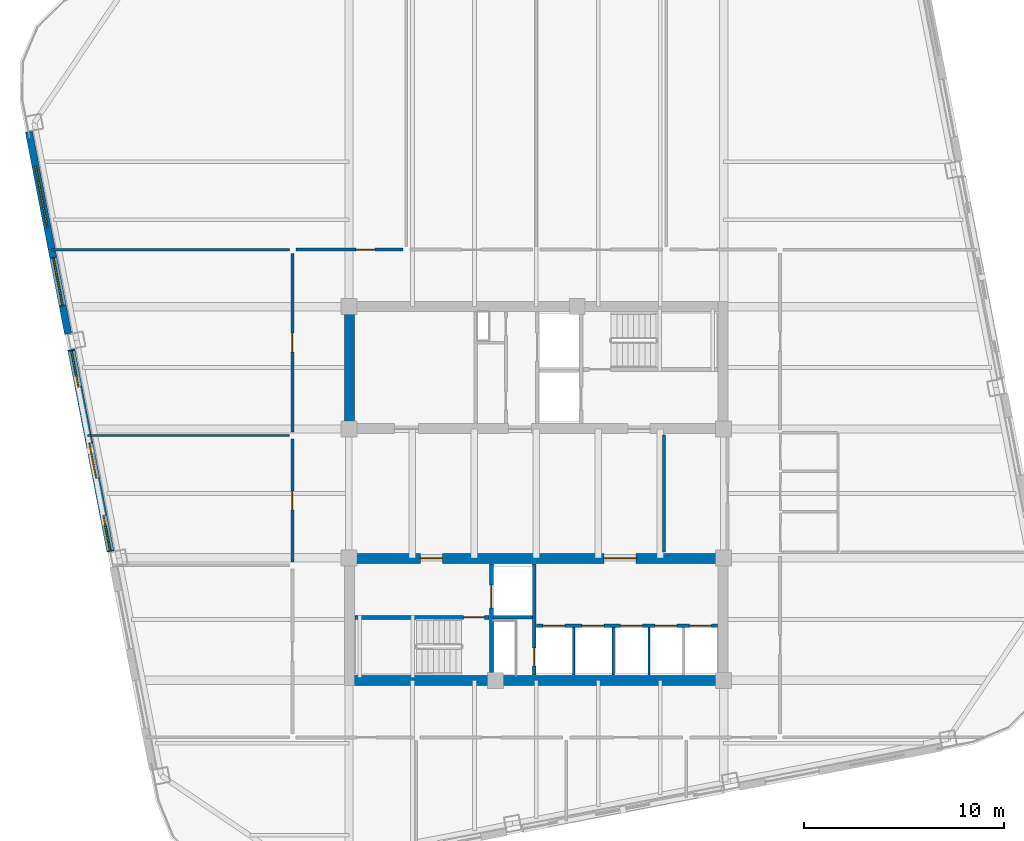
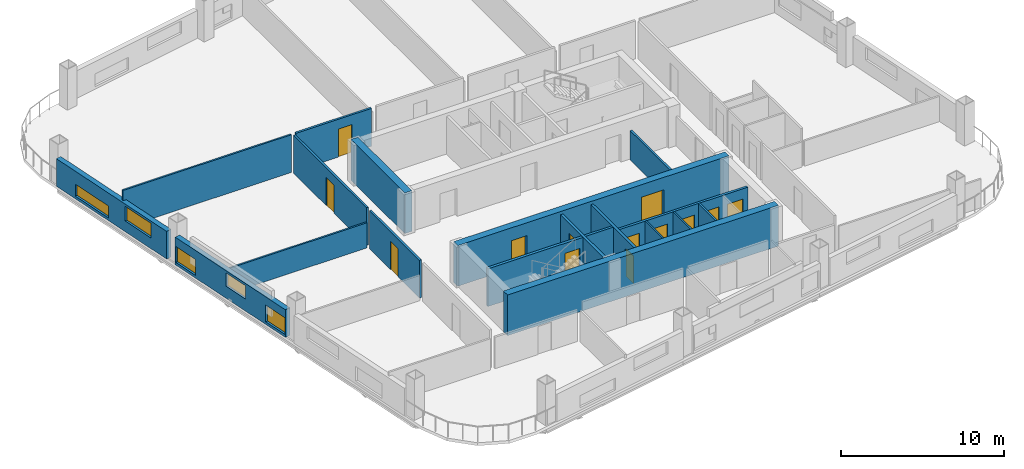
# One storey, part 3 of 9: 19 walls, 13 doors, 5 windows, 18 openings.
"""IFC4 building model written with IfcOpenShell, lengths in metres."""

from ifc_helpers import new_model, si_unit, direction, frame, frame_2d, origin, place, context, subcontext, project, spatial, rectangle, extrude, material, layer, layer_set, type_object, element, fill, save


model = new_model("IFC4")

# Units and contexts
model_context = context("Model", 3, precision=1e-05, world=origin(), true_north=direction((0.0, 1.0)))
body_context = subcontext(model_context, "Body", "Model", "MODEL_VIEW")
ifc_project = project(units=[si_unit("LENGTHUNIT", "METRE"), si_unit("AREAUNIT", "SQUARE_METRE"), si_unit("VOLUMEUNIT", "CUBIC_METRE"), si_unit("PLANEANGLEUNIT", "RADIAN"), si_unit("MASSUNIT", "GRAM", prefix="KILO")], contexts=[model_context])

# Site, building, storey
site_placement = place(None, origin())
site = spatial("IfcSite", under=ifc_project, at=site_placement, CompositionType="ELEMENT")
building_placement = place(site_placement, origin())
building = spatial("IfcBuilding", under=site, at=building_placement, Name="Qhalaya Broadcast Tower", CompositionType="ELEMENT")
storey_placement = place(building_placement, frame((0.0, 0.0, 134.14990234375)))
storey = spatial("IfcBuildingStorey", under=building, at=storey_placement, Name="L39", CompositionType="ELEMENT", Elevation=134.14990234375)

# Wall
ifc_material_1 = material(Name="Gypsum Acoustic Partition")
ifc_layer_1 = layer(ifc_material_1, 0.14990234375, Name="Gypsum Acoustic Partition")
ifc_layer_set_1 = layer_set([ifc_layer_1], Name="Gypsum Acoustic Partition")
wall_type_1 = type_object("IfcWallType", Name="Corridor & Tenancy Acoustic Partition 150", PredefinedType="PARTITIONING", material=ifc_layer_set_1)
wall_1_placement = place(storey_placement, frame((6.3798828125, -2.320068359375, 0.0), z_axis=(0.0, 0.0, 1.0), x_axis=(0.0, 1.0, 0.0)))
element("IfcWall", 1, at=wall_1_placement, inside=storey, type_object=wall_type_1, Name="L39 Partition Wall W-ICHW", PredefinedType="PARTITIONING", context=body_context, shape_type="SweptSolid", body=[
    extrude(rectangle(XDim=5.840087890625, YDim=0.14990234375, at=frame_2d((2.919921875, 0.0))), origin(), (0.0, 0.0, 1.0), 2.197998046875),
])

# Wall, opening, door
wall_2_placement = place(storey_placement, frame((-12.02001953125, 12.800048828125, 0.0), z_axis=(0.0, 0.0, 1.0), x_axis=(1.0, 0.0, 0.0)))
wall_2 = element("IfcWall", 2, at=wall_2_placement, inside=storey, type_object=wall_type_1, Name="L39 Partition Wall W-COR-01", PredefinedType="PARTITIONING", context=body_context, shape_type="SweptSolid", body=[
    extrude(rectangle(XDim=5.340087890625, YDim=0.14990234375, at=frame_2d((2.669921875, 0.0))), origin(), (0.0, 0.0, 1.0), 2.830078125),
])
opening_1_placement = place(wall_2_placement, frame((2.9951171875, 0.0, 0.0)))
opening_1 = element("IfcOpeningElement", 3, at=opening_1_placement, cuts=wall_2, Name="Opening D10", PredefinedType="OPENING", context=body_context, shape_type="SweptSolid", body=[
    extrude(rectangle(XDim=0.949951171875, YDim=2.10009765625, at=frame_2d((0.47509765625, 1.050048828125))), frame((0.0, 0.0869140625, 0.0), z_axis=(0.0, -1.0, 0.0), x_axis=(1.0, 0.0, 0.0)), (0.0, 0.0, 1.0), 0.173828125),
])
ifc_material_2 = material(Name="Timber Veneer Acoustic Door", Category="wood")
door_type_1 = type_object("IfcDoorType", Name="Cellular Office & Edit Booth Door D10", OperationType="NOTDEFINED", PredefinedType="DOOR", material=ifc_material_2)
door_1_placement = place(opening_1_placement, origin())
door_1 = element("IfcDoor", 4, at=door_1_placement, inside=storey, type_object=door_type_1, Name="L39 Door D-RM01", OperationType="SINGLE_SWING_LEFT", OverallHeight=2.10009765625, OverallWidth=0.949951171875, PredefinedType="DOOR", context=body_context, shape_type="SweptSolid", body=[
    extrude(rectangle(XDim=0.949951171875, YDim=2.10009765625, at=frame_2d((0.47509765625, 1.050048828125))), frame((0.0, 0.02490234375, 0.0), z_axis=(0.0, -1.0, 0.0), x_axis=(1.0, 0.0, 0.0)), (0.0, 0.0, 1.0), 0.050048828125),
])
fill(opening_1, door_1)

wall_3_placement = place(storey_placement, frame((-12.199951171875, -2.820068359375, 0.0), z_axis=(0.0, 0.0, 1.0), x_axis=(0.0, 1.0, 0.0)))
wall_3 = element("IfcWall", 5, at=wall_3_placement, inside=storey, type_object=wall_type_1, Name="L39 Partition Wall W-COR-10", PredefinedType="PARTITIONING", context=body_context, shape_type="SweptSolid", body=[
    extrude(rectangle(XDim=6.14013671875, YDim=0.14990234375, at=frame_2d((3.070068359375, 0.0))), origin(), (0.0, 0.0, 1.0), 2.830078125),
])
opening_2_placement = place(wall_3_placement, frame((2.594970703125, 0.0, 0.0)))
opening_2 = element("IfcOpeningElement", 6, at=opening_2_placement, cuts=wall_3, Name="Opening D10", PredefinedType="OPENING", context=body_context, shape_type="SweptSolid", body=[
    extrude(rectangle(XDim=0.949951171875, YDim=2.10009765625, at=frame_2d((0.47509765625, 1.050048828125))), frame((0.0, 0.0869140625, 0.0), z_axis=(0.0, -1.0, 0.0), x_axis=(1.0, 0.0, 0.0)), (0.0, 0.0, 1.0), 0.173828125),
])
door_2_placement = place(opening_2_placement, origin())
door_2 = element("IfcDoor", 7, at=door_2_placement, inside=storey, type_object=door_type_1, Name="L39 Door D-RM10", OperationType="SINGLE_SWING_RIGHT", OverallHeight=2.10009765625, OverallWidth=0.949951171875, PredefinedType="DOOR", context=body_context, shape_type="SweptSolid", body=[
    extrude(rectangle(XDim=0.949951171875, YDim=2.10009765625, at=frame_2d((0.47509765625, 1.050048828125))), frame((0.0, 0.02490234375, 0.0), z_axis=(0.0, -1.0, 0.0), x_axis=(1.0, 0.0, 0.0)), (0.0, 0.0, 1.0), 0.050048828125),
])
fill(opening_2, door_2)

wall_4_placement = place(storey_placement, frame((-12.199951171875, 3.679931640625, 0.0), z_axis=(0.0, 0.0, 1.0), x_axis=(0.0, 1.0, 0.0)))
wall_4 = element("IfcWall", 8, at=wall_4_placement, inside=storey, type_object=wall_type_1, Name="L39 Partition Wall W-COR-11", PredefinedType="PARTITIONING", context=body_context, shape_type="SweptSolid", body=[
    extrude(rectangle(XDim=8.940185546875, YDim=0.14990234375, at=frame_2d((4.47021484375, 0.0))), origin(), (0.0, 0.0, 1.0), 2.830078125),
])
opening_3_placement = place(wall_4_placement, frame((3.9951171875, 0.0, 0.0)))
opening_3 = element("IfcOpeningElement", 9, at=opening_3_placement, cuts=wall_4, Name="Opening D10", PredefinedType="OPENING", context=body_context, shape_type="SweptSolid", body=[
    extrude(rectangle(XDim=0.949951171875, YDim=2.10009765625, at=frame_2d((0.47509765625, 1.050048828125))), frame((0.0, 0.0869140625, 0.0), z_axis=(0.0, -1.0, 0.0), x_axis=(1.0, 0.0, 0.0)), (0.0, 0.0, 1.0), 0.173828125),
])
door_3_placement = place(opening_3_placement, origin())
door_3 = element("IfcDoor", 10, at=door_3_placement, inside=storey, type_object=door_type_1, Name="L39 Door D-RM11", OperationType="SINGLE_SWING_LEFT", OverallHeight=2.10009765625, OverallWidth=0.949951171875, PredefinedType="DOOR", context=body_context, shape_type="SweptSolid", body=[
    extrude(rectangle(XDim=0.949951171875, YDim=2.10009765625, at=frame_2d((0.47509765625, 1.050048828125))), frame((0.0, 0.02490234375, 0.0), z_axis=(0.0, -1.0, 0.0), x_axis=(1.0, 0.0, 0.0)), (0.0, 0.0, 1.0), 0.050048828125),
])
fill(opening_3, door_3)

# Wall, openings, windows
ifc_material_3 = material(Name="Precast Concrete C40/50", Category="concrete")
ifc_layer_2 = layer(ifc_material_3, 0.360107421875, Name="Precast Concrete C40/50")
ifc_layer_set_2 = layer_set([ifc_layer_2], Name="Precast Concrete C40/50")
wall_type_2 = type_object("IfcWallType", Name="Insulated Precast Terracotta Exterior Wall 360", PredefinedType="SOLIDWALL", material=ifc_layer_set_2)
wall_5_placement = place(storey_placement, frame((-21.31005859375, -2.30859375, 0.0), z_axis=(0.0, 0.0, 1.0), x_axis=(-0.190811924826, 0.981626614016, 0.0)))
wall_5 = element("IfcWall", 11, at=wall_5_placement, inside=storey, type_object=wall_type_2, Name="L39 Exoskeleton Diagrid Infill Wall W2", PredefinedType="SOLIDWALL", context=body_context, shape_type="SweptSolid", body=[
    extrude(rectangle(XDim=10.2998046875, YDim=0.360107421875, at=frame_2d((5.14990234375, 0.0))), origin(), (0.0, 0.0, 1.0), 2.067138671875),
])
opening_4_placement = place(wall_5_placement, frame((0.0380859375, 0.0, 0.199951171875)))
opening_4 = element("IfcOpeningElement", 12, at=opening_4_placement, cuts=wall_5, Name="Opening W11", PredefinedType="OPENING", context=body_context, shape_type="SweptSolid", body=[
    extrude(rectangle(XDim=1.800048828125, YDim=1.25, at=frame_2d((0.89990234375, 0.625))), frame((0.0, 0.192138671875, 0.0), z_axis=(0.0, -1.0, 0.0), x_axis=(1.0, 0.0, 0.0)), (0.0, 0.0, 1.0), 0.384033203125),
])
opening_5_placement = place(wall_5_placement, frame((3.738037109375, 0.0, 0.89990234375)))
opening_5 = element("IfcOpeningElement", 13, at=opening_5_placement, cuts=wall_5, Name="Opening W11", PredefinedType="OPENING", context=body_context, shape_type="SweptSolid", body=[
    extrude(rectangle(XDim=1.800048828125, YDim=1.0, at=frame_2d((0.89990234375, 0.5))), frame((0.0, 0.192138671875, 0.0), z_axis=(0.0, -1.0, 0.0), x_axis=(1.0, 0.0, 0.0)), (0.0, 0.0, 1.0), 0.384033203125),
])
opening_6_placement = place(wall_5_placement, frame((8.387939453125, 0.0, 0.199951171875)))
opening_6 = element("IfcOpeningElement", 14, at=opening_6_placement, cuts=wall_5, Name="Opening W11", PredefinedType="OPENING", context=body_context, shape_type="SweptSolid", body=[
    extrude(rectangle(XDim=1.85009765625, YDim=1.199951171875, at=frame_2d((0.925048828125, 0.60009765625))), frame((0.0, 0.192138671875, 0.0), z_axis=(0.0, -1.0, 0.0), x_axis=(1.0, 0.0, 0.0)), (0.0, 0.0, 1.0), 0.384033203125),
])
ifc_material_4 = material(Name="Solar-Control Low-E Triple Glazing", Category="glass")
window_type = type_object("IfcWindowType", Name="Odd-Block Diagrid Infill Window W11", PartitioningType="SINGLE_PANEL", PredefinedType="WINDOW", material=ifc_material_4)
window_1_placement = place(opening_4_placement, origin())
window_1 = element("IfcWindow", 15, at=window_1_placement, inside=storey, type_object=window_type, Name="L39 Diagrid Infill Window W11-W3", OverallHeight=1.25, OverallWidth=1.800048828125, PartitioningType="SINGLE_PANEL", PredefinedType="WINDOW", context=body_context, shape_type="SweptSolid", body=[
    extrude(rectangle(XDim=1.800048828125, YDim=1.25, at=frame_2d((0.89990234375, 0.625))), frame((0.0, 0.030029296875, 0.0), z_axis=(0.0, -1.0, 0.0), x_axis=(1.0, 0.0, 0.0)), (0.0, 0.0, 1.0), 0.06005859375),
])
fill(opening_4, window_1)
window_2_placement = place(opening_5_placement, origin())
window_2 = element("IfcWindow", 16, at=window_2_placement, inside=storey, type_object=window_type, Name="L39 Diagrid Infill Window W11-W4", OverallHeight=1.0, OverallWidth=1.800048828125, PartitioningType="SINGLE_PANEL", PredefinedType="WINDOW", context=body_context, shape_type="SweptSolid", body=[
    extrude(rectangle(XDim=1.800048828125, YDim=1.0, at=frame_2d((0.89990234375, 0.5))), frame((0.0, 0.030029296875, 0.0), z_axis=(0.0, -1.0, 0.0), x_axis=(1.0, 0.0, 0.0)), (0.0, 0.0, 1.0), 0.06005859375),
])
fill(opening_5, window_2)
window_3_placement = place(opening_6_placement, origin())
window_3 = element("IfcWindow", 17, at=window_3_placement, inside=storey, type_object=window_type, Name="L39 Diagrid Infill Window W11-W5", OverallHeight=1.199951171875, OverallWidth=1.85009765625, PartitioningType="SINGLE_PANEL", PredefinedType="WINDOW", context=body_context, shape_type="SweptSolid", body=[
    extrude(rectangle(XDim=1.85009765625, YDim=1.199951171875, at=frame_2d((0.925048828125, 0.60009765625))), frame((0.0, 0.030029296875, 0.0), z_axis=(0.0, -1.0, 0.0), x_axis=(1.0, 0.0, 0.0)), (0.0, 0.0, 1.0), 0.06005859375),
])
fill(opening_6, window_3)

wall_6_placement = place(storey_placement, frame((-23.427978515625, 8.58740234375, 0.0), z_axis=(0.0, 0.0, 1.0), x_axis=(-0.190822765986, 0.981624506612, 0.0)))
wall_6 = element("IfcWall", 18, at=wall_6_placement, inside=storey, type_object=wall_type_2, Name="L39 Exoskeleton Diagrid Infill Wall W3", PredefinedType="SOLIDWALL", context=body_context, shape_type="SweptSolid", body=[
    extrude(rectangle(XDim=10.31201171875, YDim=0.360107421875, at=frame_2d((5.156005859375, 0.0))), origin(), (0.0, 0.0, 1.0), 2.067138671875),
])
opening_7_placement = place(wall_6_placement, frame((1.43798828125, 0.0, 0.800048828125)))
opening_7 = element("IfcOpeningElement", 19, at=opening_7_placement, cuts=wall_6, Name="Opening W11", PredefinedType="OPENING", context=body_context, shape_type="SweptSolid", body=[
    extrude(rectangle(XDim=2.449951171875, YDim=1.10009765625, at=frame_2d((1.22509765625, 0.550048828125))), frame((0.0, 0.192138671875, 0.0), z_axis=(0.0, -1.0, 0.0), x_axis=(1.0, 0.0, 0.0)), (0.0, 0.0, 1.0), 0.384033203125),
])
opening_8_placement = place(wall_6_placement, frame((5.43798828125, 0.0, 0.199951171875)))
opening_8 = element("IfcOpeningElement", 20, at=opening_8_placement, cuts=wall_6, Name="Opening W11", PredefinedType="OPENING", context=body_context, shape_type="SweptSolid", body=[
    extrude(rectangle(XDim=3.10009765625, YDim=0.89990234375, at=frame_2d((1.550048828125, 0.449951171875))), frame((0.0, 0.192138671875, 0.0), z_axis=(0.0, -1.0, 0.0), x_axis=(1.0, 0.0, 0.0)), (0.0, 0.0, 1.0), 0.384033203125),
])
window_4_placement = place(opening_7_placement, origin())
window_4 = element("IfcWindow", 21, at=window_4_placement, inside=storey, type_object=window_type, Name="L39 Diagrid Infill Window W11-W6", OverallHeight=1.10009765625, OverallWidth=2.449951171875, PartitioningType="SINGLE_PANEL", PredefinedType="WINDOW", context=body_context, shape_type="SweptSolid", body=[
    extrude(rectangle(XDim=2.449951171875, YDim=1.10009765625, at=frame_2d((1.22509765625, 0.550048828125))), frame((0.0, 0.030029296875, 0.0), z_axis=(0.0, -1.0, 0.0), x_axis=(1.0, 0.0, 0.0)), (0.0, 0.0, 1.0), 0.06005859375),
])
fill(opening_7, window_4)
window_5_placement = place(opening_8_placement, origin())
window_5 = element("IfcWindow", 22, at=window_5_placement, inside=storey, type_object=window_type, Name="L39 Diagrid Infill Window W11-W7", OverallHeight=0.89990234375, OverallWidth=3.10009765625, PartitioningType="SINGLE_PANEL", PredefinedType="WINDOW", context=body_context, shape_type="SweptSolid", body=[
    extrude(rectangle(XDim=3.10009765625, YDim=0.89990234375, at=frame_2d((1.550048828125, 0.449951171875))), frame((0.0, 0.030029296875, 0.0), z_axis=(0.0, -1.0, 0.0), x_axis=(1.0, 0.0, 0.0)), (0.0, 0.0, 1.0), 0.06005859375),
])
fill(opening_8, window_5)

# Wall, opening, door
ifc_material_5 = material(Name="Concrete C50/60", Category="concrete")
ifc_layer_3 = layer(ifc_material_5, 0.199951171875, Name="Concrete C50/60")
ifc_layer_set_3 = layer_set([ifc_layer_3], Name="Concrete C50/60")
wall_type_3 = type_object("IfcWallType", Name="Load-Bearing Stair Shaft Wall 200", PredefinedType="SHEAR", material=ifc_layer_set_3)
wall_7_placement = place(storey_placement, frame((-9.080078125, -5.60498046875, 0.0), z_axis=(0.0, 0.0, 1.0), x_axis=(1.0, 0.0, 0.0)))
wall_7 = element("IfcWall", 23, at=wall_7_placement, inside=storey, type_object=wall_type_3, Name="L39 Stair Core Shear Wall SCW-ST2", PredefinedType="SHEAR", context=body_context, shape_type="SweptSolid", body=[
    extrude(rectangle(XDim=6.719970703125, YDim=0.199951171875, at=frame_2d((3.35986328125, 0.0))), origin(), (0.0, 0.0, 1.0), 2.830078125),
])
opening_9_placement = place(wall_7_placement, frame((5.449951171875, 0.0, 0.0)))
opening_9 = element("IfcOpeningElement", 24, at=opening_9_placement, cuts=wall_7, Name="Opening D03", PredefinedType="OPENING", context=body_context, shape_type="SweptSolid", body=[
    extrude(rectangle(XDim=1.050048828125, YDim=2.080078125, at=frame_2d((0.52490234375, 1.0400390625))), frame((0.0, 0.112060546875, 0.0), z_axis=(0.0, -1.0, 0.0), x_axis=(1.0, 0.0, 0.0)), (0.0, 0.0, 1.0), 0.223876953125),
])
ifc_material_6 = material(Name="Fire-Rated Steel Door", Category="steel")
door_type_2 = type_object("IfcDoorType", Name="Core Stair Protected Fire Door D03", OperationType="NOTDEFINED", PredefinedType="DOOR", material=ifc_material_6)
door_4_placement = place(opening_9_placement, origin())
door_4 = element("IfcDoor", 25, at=door_4_placement, inside=storey, type_object=door_type_2, Name="L39 Door D-SST2", OperationType="SINGLE_SWING_RIGHT", OverallHeight=2.080078125, OverallWidth=1.050048828125, PredefinedType="DOOR", context=body_context, shape_type="SweptSolid", body=[
    extrude(rectangle(XDim=1.050048828125, YDim=2.080078125, at=frame_2d((0.52490234375, 1.0400390625))), frame((0.0, 0.02490234375, 0.0), z_axis=(0.0, -1.0, 0.0), x_axis=(1.0, 0.0, 0.0)), (0.0, 0.0, 1.0), 0.050048828125),
])
fill(opening_9, door_4)

wall_8_placement = place(storey_placement, frame((-2.25, -8.47998046875, 0.0), z_axis=(0.0, 0.0, 1.0), x_axis=(0.0, 1.0, 0.0)))
wall_8 = element("IfcWall", 26, at=wall_8_placement, inside=storey, type_object=wall_type_3, Name="L39 Stair Core Shear Wall SCW-FF", PredefinedType="SHEAR", context=body_context, shape_type="SweptSolid", body=[
    extrude(rectangle(XDim=5.56005859375, YDim=0.199951171875, at=frame_2d((2.780029296875, 0.0))), origin(), (0.0, 0.0, 1.0), 2.830078125),
])
opening_10_placement = place(wall_8_placement, frame((3.35009765625, 0.0, 0.0)))
opening_10 = element("IfcOpeningElement", 27, at=opening_10_placement, cuts=wall_8, Name="Opening LD2", PredefinedType="OPENING", context=body_context, shape_type="SweptSolid", body=[
    extrude(rectangle(XDim=1.14990234375, YDim=2.080078125, at=frame_2d((0.574951171875, 1.0400390625))), frame((0.0, 0.112060546875, 0.0), z_axis=(0.0, -1.0, 0.0), x_axis=(1.0, 0.0, 0.0)), (0.0, 0.0, 1.0), 0.223876953125),
])
ifc_material_7 = material(Name="Brushed Stainless Steel Lift Door", Category="steel")
door_type_3 = type_object("IfcDoorType", Name="Firefighting Lift Sliding Landing Door LD2", OperationType="DOUBLE_DOOR_SLIDING", PredefinedType="DOOR", material=ifc_material_7)
door_5_placement = place(opening_10_placement, origin())
door_5 = element("IfcDoor", 28, at=door_5_placement, inside=storey, type_object=door_type_3, Name="L39 Door LD-FF2", OperationType="DOUBLE_DOOR_SLIDING", OverallHeight=2.080078125, OverallWidth=1.14990234375, PredefinedType="DOOR", context=body_context, shape_type="SweptSolid", body=[
    extrude(rectangle(XDim=1.14990234375, YDim=2.080078125, at=frame_2d((0.574951171875, 1.0400390625))), frame((0.0, 0.02490234375, 0.0), z_axis=(0.0, -1.0, 0.0), x_axis=(1.0, 0.0, 0.0)), (0.0, 0.0, 1.0), 0.050048828125),
])
fill(opening_10, door_5)

# Walls
ifc_layer_4 = layer(ifc_material_5, 0.5, Name="Concrete C50/60")
ifc_layer_set_4 = layer_set([ifc_layer_4], Name="Concrete C50/60")
wall_type_4 = type_object("IfcWallType", Name="Mid Split-Core Shear Wall 500", PredefinedType="SHEAR", material=ifc_layer_set_4)
wall_9_placement = place(storey_placement, frame((-9.35009765625, 3.60009765625, 0.0), z_axis=(0.0, 0.0, 1.0), x_axis=(0.0, 1.0, 0.0)))
element("IfcWall", 29, at=wall_9_placement, inside=storey, type_object=wall_type_4, Name="L39 Split-Core Shear Wall CW-NW", PredefinedType="SHEAR", context=body_context, shape_type="SweptSolid", body=[
    extrude(rectangle(XDim=6.599853515625, YDim=0.5, at=frame_2d((3.2998046875, 0.0))), origin(), (0.0, 0.0, 1.0), 3.050048828125),
])
wall_10_placement = place(storey_placement, frame((-9.60009765625, -8.75, 0.0), z_axis=(0.0, 0.0, 1.0), x_axis=(1.0, 0.0, 0.0)))
element("IfcWall", 30, at=wall_10_placement, inside=storey, type_object=wall_type_4, Name="L39 Split-Core Shear Wall CW-SS", PredefinedType="SHEAR", context=body_context, shape_type="SweptSolid", body=[
    extrude(rectangle(XDim=19.2001953125, YDim=0.5, at=frame_2d((9.60009765625, 0.0))), origin(), (0.0, 0.0, 1.0), 3.050048828125),
])

# Wall, openings, doors
wall_11_placement = place(storey_placement, frame((-9.60009765625, -2.64990234375, 0.0), z_axis=(0.0, 0.0, 1.0), x_axis=(1.0, 0.0, 0.0)))
wall_11 = element("IfcWall", 31, at=wall_11_placement, inside=storey, type_object=wall_type_4, Name="L39 Split-Core Shear Wall CW-SN", PredefinedType="SHEAR", context=body_context, shape_type="SweptSolid", body=[
    extrude(rectangle(XDim=19.2001953125, YDim=0.5, at=frame_2d((9.60009765625, 0.0))), origin(), (0.0, 0.0, 1.0), 3.050048828125),
])
opening_11_placement = place(wall_11_placement, frame((3.800048828125, 0.0, 0.0)))
opening_11 = element("IfcOpeningElement", 32, at=opening_11_placement, cuts=wall_11, Name="Opening D04", PredefinedType="OPENING", context=body_context, shape_type="SweptSolid", body=[
    extrude(rectangle(XDim=1.10009765625, YDim=2.080078125, at=frame_2d((0.550048828125, 1.0400390625))), frame((0.0, 0.261962890625, 0.0), z_axis=(0.0, -1.0, 0.0), x_axis=(1.0, 0.0, 0.0)), (0.0, 0.0, 1.0), 0.52392578125),
])
opening_12_placement = place(wall_11_placement, frame((13.0, 0.0, 0.0)))
opening_12 = element("IfcOpeningElement", 33, at=opening_12_placement, cuts=wall_11, Name="Opening D07", PredefinedType="OPENING", context=body_context, shape_type="SweptSolid", body=[
    extrude(rectangle(XDim=1.60009765625, YDim=2.1201171875, at=frame_2d((0.800048828125, 1.06005859375))), frame((0.0, 0.261962890625, 0.0), z_axis=(0.0, -1.0, 0.0), x_axis=(1.0, 0.0, 0.0)), (0.0, 0.0, 1.0), 0.52392578125),
])
door_type_4 = type_object("IfcDoorType", Name="Firefighting Lobby Rated Door D04", OperationType="NOTDEFINED", PredefinedType="DOOR", material=ifc_material_6)
door_6_placement = place(opening_11_placement, origin())
door_6 = element("IfcDoor", 34, at=door_6_placement, inside=storey, type_object=door_type_4, Name="L39 Door D-SFF", OperationType="SINGLE_SWING_LEFT", OverallHeight=2.080078125, OverallWidth=1.10009765625, PredefinedType="DOOR", context=body_context, shape_type="SweptSolid", body=[
    extrude(rectangle(XDim=1.10009765625, YDim=2.080078125, at=frame_2d((0.550048828125, 1.0400390625))), frame((0.0, 0.02490234375, 0.0), z_axis=(0.0, -1.0, 0.0), x_axis=(1.0, 0.0, 0.0)), (0.0, 0.0, 1.0), 0.050048828125),
])
fill(opening_11, door_6)
ifc_material_8 = material(Name="Anodised Aluminium Glazed Door", Category="aluminium")
door_type_5 = type_object("IfcDoorType", Name="Passenger Lift Lobby Double Glazed Door D07", OperationType="DOUBLE_DOOR_SINGLE_SWING", PredefinedType="DOOR", material=ifc_material_8)
door_7_placement = place(opening_12_placement, origin())
door_7 = element("IfcDoor", 35, at=door_7_placement, inside=storey, type_object=door_type_5, Name="L39 Door D-SPLL", OperationType="DOUBLE_DOOR_SINGLE_SWING", OverallHeight=2.1201171875, OverallWidth=1.60009765625, PredefinedType="DOOR", context=body_context, shape_type="SweptSolid", body=[
    extrude(rectangle(XDim=1.60009765625, YDim=2.1201171875, at=frame_2d((0.800048828125, 1.06005859375))), frame((0.0, 0.02490234375, 0.0), z_axis=(0.0, -1.0, 0.0), x_axis=(1.0, 0.0, 0.0)), (0.0, 0.0, 1.0), 0.050048828125),
])
fill(opening_12, door_7)

# Walls
ifc_layer_5 = layer(ifc_material_1, 0.1201171875, Name="Gypsum Acoustic Partition")
ifc_layer_set_5 = layer_set([ifc_layer_5], Name="Gypsum Acoustic Partition")
wall_type_5 = type_object("IfcWallType", Name="Office, Booth & Sanitary Partition 120", PredefinedType="PARTITIONING", material=ifc_layer_set_5)
for number, where, z_axis, x_axis, name in (
    (36, (1.8798828125, -8.47998046875, 0.0), (0.0, 0.0, 1.0), (0.0, 1.0, 0.0), "L39 Partition Wall SCW-MD4"),
    (37, (3.85009765625, -8.47998046875, 0.0), (0.0, 0.0, 1.0), (0.0, 1.0, 0.0), "L39 Partition Wall SCW-MD5"),
    (38, (5.639892578125, -8.47998046875, 0.0), (0.0, 0.0, 1.0), (0.0, 1.0, 0.0), "L39 Partition Wall SCW-HD6"),
):
    element("IfcWall", number, at=place(storey_placement, frame(where, z_axis=z_axis, x_axis=x_axis)), inside=storey, type_object=wall_type_5, Name=name, PredefinedType="PARTITIONING", context=body_context, shape_type="SweptSolid", body=[
        extrude(rectangle(XDim=2.3798828125, YDim=0.1201171875, at=frame_2d((1.18994140625, 0.0))), origin(), (0.0, 0.0, 1.0), 2.830078125),
    ])
wall_12_placement = place(storey_placement, frame((-24.267333984375, 12.800048828125, 0.0), z_axis=(0.0, 0.0, 1.0), x_axis=(1.0, 0.0, 0.0)))
element("IfcWall", 39, at=wall_12_placement, inside=storey, type_object=wall_type_5, Name="L39 Partition Wall W-BNDW1", PredefinedType="PARTITIONING", context=body_context, shape_type="SweptSolid", body=[
    extrude(rectangle(XDim=11.92724609375, YDim=0.1201171875, at=frame_2d((5.963623046875, 0.0))), origin(), (0.0, 0.0, 1.0), 2.830078125),
])
wall_13_placement = place(storey_placement, frame((-22.45947265625, 3.5, 0.0), z_axis=(0.0, 0.0, 1.0), x_axis=(1.0, 0.0, 0.0)))
element("IfcWall", 40, at=wall_13_placement, inside=storey, type_object=wall_type_5, Name="L39 Partition Wall W-DIVW2", PredefinedType="PARTITIONING", context=body_context, shape_type="SweptSolid", body=[
    extrude(rectangle(XDim=10.099365234375, YDim=0.1201171875, at=frame_2d((5.0498046875, 0.0))), origin(), (0.0, 0.0, 1.0), 1.883056640625),
])

# Wall, opening, door
ifc_layer_6 = layer(ifc_material_1, 0.175048828125, Name="Gypsum Acoustic Partition")
ifc_layer_set_6 = layer_set([ifc_layer_6], Name="Gypsum Acoustic Partition")
wall_type_6 = type_object("IfcWallType", Name="Shaft & Riser Fire Partition 175", PredefinedType="PARTITIONING", material=ifc_layer_set_6)
wall_14_placement = place(storey_placement, frame((-0.10009765625, -8.47998046875, 0.0), z_axis=(0.0, 0.0, 1.0), x_axis=(0.0, 1.0, 0.0)))
wall_14 = element("IfcWall", 41, at=wall_14_placement, inside=storey, type_object=wall_type_6, Name="L39 Partition Wall SCW-FFE", PredefinedType="PARTITIONING", context=body_context, shape_type="SweptSolid", body=[
    extrude(rectangle(XDim=5.56005859375, YDim=0.175048828125, at=frame_2d((2.780029296875, 0.0))), origin(), (0.0, 0.0, 1.0), 2.830078125),
])
opening_13_placement = place(wall_14_placement, frame((0.449951171875, 0.0, 0.0)))
opening_13 = element("IfcOpeningElement", 42, at=opening_13_placement, cuts=wall_14, Name="Opening D06", PredefinedType="OPENING", context=body_context, shape_type="SweptSolid", body=[
    extrude(rectangle(XDim=0.89990234375, YDim=2.050048828125, at=frame_2d((0.449951171875, 1.02490234375))), frame((0.0, 0.099609375, 0.0), z_axis=(0.0, -1.0, 0.0), x_axis=(1.0, 0.0, 0.0)), (0.0, 0.0, 1.0), 0.198974609375),
])
door_type_6 = type_object("IfcDoorType", Name="Riser & Electrical Shaft Access Door D06", OperationType="NOTDEFINED", PredefinedType="DOOR", material=ifc_material_6)
door_8_placement = place(opening_13_placement, origin())
door_8 = element("IfcDoor", 43, at=door_8_placement, inside=storey, type_object=door_type_6, Name="L39 Riser Shaft Access Door D-SRSR", OperationType="SINGLE_SWING_LEFT", OverallHeight=2.050048828125, OverallWidth=0.89990234375, PredefinedType="DOOR", context=body_context, shape_type="SweptSolid", body=[
    extrude(rectangle(XDim=0.89990234375, YDim=2.050048828125, at=frame_2d((0.449951171875, 1.02490234375))), frame((0.0, 0.02490234375, 0.0), z_axis=(0.0, -1.0, 0.0), x_axis=(1.0, 0.0, 0.0)), (0.0, 0.0, 1.0), 0.050048828125),
])
fill(opening_13, door_8)

# Wall
wall_15_placement = place(storey_placement, frame((-2.14990234375, -5.60009765625, 0.0), z_axis=(0.0, 0.0, 1.0), x_axis=(1.0, 0.0, 0.0)))
element("IfcWall", 44, at=wall_15_placement, inside=storey, type_object=wall_type_6, Name="L39 Partition Wall SCW-FFM", PredefinedType="PARTITIONING", context=body_context, shape_type="SweptSolid", body=[
    extrude(rectangle(XDim=1.969970703125, YDim=0.175048828125, at=frame_2d((0.98486328125, 0.0))), origin(), (0.0, 0.0, 1.0), 2.830078125),
])

# Wall, openings, doors
wall_16_placement = place(storey_placement, frame((0.0, -6.02001953125, 0.0), z_axis=(0.0, 0.0, 1.0), x_axis=(1.0, 0.0, 0.0)))
wall_16 = element("IfcWall", 45, at=wall_16_placement, inside=storey, type_object=wall_type_6, Name="L39 Partition Wall SCW-SLB", PredefinedType="PARTITIONING", context=body_context, shape_type="SweptSolid", body=[
    extrude(rectangle(XDim=9.080078125, YDim=0.175048828125, at=frame_2d((4.5400390625, 0.0))), origin(), (0.0, 0.0, 1.0), 2.830078125),
])
opening_14_placement = place(wall_16_placement, frame((0.330078125, 0.0, 0.0)))
opening_14 = element("IfcOpeningElement", 46, at=opening_14_placement, cuts=wall_16, Name="Opening LD1", PredefinedType="OPENING", context=body_context, shape_type="SweptSolid", body=[
    extrude(rectangle(XDim=1.10009765625, YDim=2.06005859375, at=frame_2d((0.550048828125, 1.030029296875))), frame((0.0, 0.099609375, 0.0), z_axis=(0.0, -1.0, 0.0), x_axis=(1.0, 0.0, 0.0)), (0.0, 0.0, 1.0), 0.198974609375),
])
opening_15_placement = place(wall_16_placement, frame((2.300048828125, 0.0, 0.0)))
opening_15 = element("IfcOpeningElement", 47, at=opening_15_placement, cuts=wall_16, Name="Opening LD1", PredefinedType="OPENING", context=body_context, shape_type="SweptSolid", body=[
    extrude(rectangle(XDim=1.10009765625, YDim=2.06005859375, at=frame_2d((0.550048828125, 1.030029296875))), frame((0.0, 0.099609375, 0.0), z_axis=(0.0, -1.0, 0.0), x_axis=(1.0, 0.0, 0.0)), (0.0, 0.0, 1.0), 0.198974609375),
])
opening_16_placement = place(wall_16_placement, frame((4.219970703125, 0.0, 0.0)))
opening_16 = element("IfcOpeningElement", 48, at=opening_16_placement, cuts=wall_16, Name="Opening LD1", PredefinedType="OPENING", context=body_context, shape_type="SweptSolid", body=[
    extrude(rectangle(XDim=1.10009765625, YDim=2.06005859375, at=frame_2d((0.550048828125, 1.030029296875))), frame((0.0, 0.099609375, 0.0), z_axis=(0.0, -1.0, 0.0), x_axis=(1.0, 0.0, 0.0)), (0.0, 0.0, 1.0), 0.198974609375),
])
opening_17_placement = place(wall_16_placement, frame((5.93994140625, 0.0, 0.0)))
opening_17 = element("IfcOpeningElement", 49, at=opening_17_placement, cuts=wall_16, Name="Opening LD1", PredefinedType="OPENING", context=body_context, shape_type="SweptSolid", body=[
    extrude(rectangle(XDim=1.10009765625, YDim=2.06005859375, at=frame_2d((0.550048828125, 1.030029296875))), frame((0.0, 0.099609375, 0.0), z_axis=(0.0, -1.0, 0.0), x_axis=(1.0, 0.0, 0.0)), (0.0, 0.0, 1.0), 0.198974609375),
])
opening_18_placement = place(wall_16_placement, frame((7.659912109375, 0.0, 0.0)))
opening_18 = element("IfcOpeningElement", 50, at=opening_18_placement, cuts=wall_16, Name="Opening LD1", PredefinedType="OPENING", context=body_context, shape_type="SweptSolid", body=[
    extrude(rectangle(XDim=1.10009765625, YDim=2.06005859375, at=frame_2d((0.550048828125, 1.030029296875))), frame((0.0, 0.099609375, 0.0), z_axis=(0.0, -1.0, 0.0), x_axis=(1.0, 0.0, 0.0)), (0.0, 0.0, 1.0), 0.198974609375),
])
door_type_7 = type_object("IfcDoorType", Name="Passenger Lift Sliding Landing Door LD1", OperationType="DOUBLE_DOOR_SLIDING", PredefinedType="DOOR", material=ifc_material_7)
door_9_placement = place(opening_14_placement, origin())
door_9 = element("IfcDoor", 51, at=door_9_placement, inside=storey, type_object=door_type_7, Name="L39 Door LD-P4", OperationType="DOUBLE_DOOR_SLIDING", OverallHeight=2.06005859375, OverallWidth=1.10009765625, PredefinedType="DOOR", context=body_context, shape_type="SweptSolid", body=[
    extrude(rectangle(XDim=1.10009765625, YDim=2.06005859375, at=frame_2d((0.550048828125, 1.030029296875))), frame((0.0, 0.02490234375, 0.0), z_axis=(0.0, -1.0, 0.0), x_axis=(1.0, 0.0, 0.0)), (0.0, 0.0, 1.0), 0.050048828125),
])
fill(opening_14, door_9)
door_10_placement = place(opening_15_placement, origin())
door_10 = element("IfcDoor", 52, at=door_10_placement, inside=storey, type_object=door_type_7, Name="L39 Door LD-P5", OperationType="DOUBLE_DOOR_SLIDING", OverallHeight=2.06005859375, OverallWidth=1.10009765625, PredefinedType="DOOR", context=body_context, shape_type="SweptSolid", body=[
    extrude(rectangle(XDim=1.10009765625, YDim=2.06005859375, at=frame_2d((0.550048828125, 1.030029296875))), frame((0.0, 0.02490234375, 0.0), z_axis=(0.0, -1.0, 0.0), x_axis=(1.0, 0.0, 0.0)), (0.0, 0.0, 1.0), 0.050048828125),
])
fill(opening_15, door_10)
door_11_placement = place(opening_16_placement, origin())
door_11 = element("IfcDoor", 53, at=door_11_placement, inside=storey, type_object=door_type_7, Name="L39 Door LD-P6", OperationType="DOUBLE_DOOR_SLIDING", OverallHeight=2.06005859375, OverallWidth=1.10009765625, PredefinedType="DOOR", context=body_context, shape_type="SweptSolid", body=[
    extrude(rectangle(XDim=1.10009765625, YDim=2.06005859375, at=frame_2d((0.550048828125, 1.030029296875))), frame((0.0, 0.02490234375, 0.0), z_axis=(0.0, -1.0, 0.0), x_axis=(1.0, 0.0, 0.0)), (0.0, 0.0, 1.0), 0.050048828125),
])
fill(opening_16, door_11)
door_12_placement = place(opening_17_placement, origin())
door_12 = element("IfcDoor", 54, at=door_12_placement, inside=storey, type_object=door_type_7, Name="L39 Door LD-P7", OperationType="DOUBLE_DOOR_SLIDING", OverallHeight=2.06005859375, OverallWidth=1.10009765625, PredefinedType="DOOR", context=body_context, shape_type="SweptSolid", body=[
    extrude(rectangle(XDim=1.10009765625, YDim=2.06005859375, at=frame_2d((0.550048828125, 1.030029296875))), frame((0.0, 0.02490234375, 0.0), z_axis=(0.0, -1.0, 0.0), x_axis=(1.0, 0.0, 0.0)), (0.0, 0.0, 1.0), 0.050048828125),
])
fill(opening_17, door_12)
door_13_placement = place(opening_18_placement, origin())
door_13 = element("IfcDoor", 55, at=door_13_placement, inside=storey, type_object=door_type_7, Name="L39 Door LD-P8", OperationType="DOUBLE_DOOR_SLIDING", OverallHeight=2.06005859375, OverallWidth=1.10009765625, PredefinedType="DOOR", context=body_context, shape_type="SweptSolid", body=[
    extrude(rectangle(XDim=1.10009765625, YDim=2.06005859375, at=frame_2d((0.550048828125, 1.030029296875))), frame((0.0, 0.02490234375, 0.0), z_axis=(0.0, -1.0, 0.0), x_axis=(1.0, 0.0, 0.0)), (0.0, 0.0, 1.0), 0.050048828125),
])
fill(opening_18, door_13)

save(model, "model.ifc")
